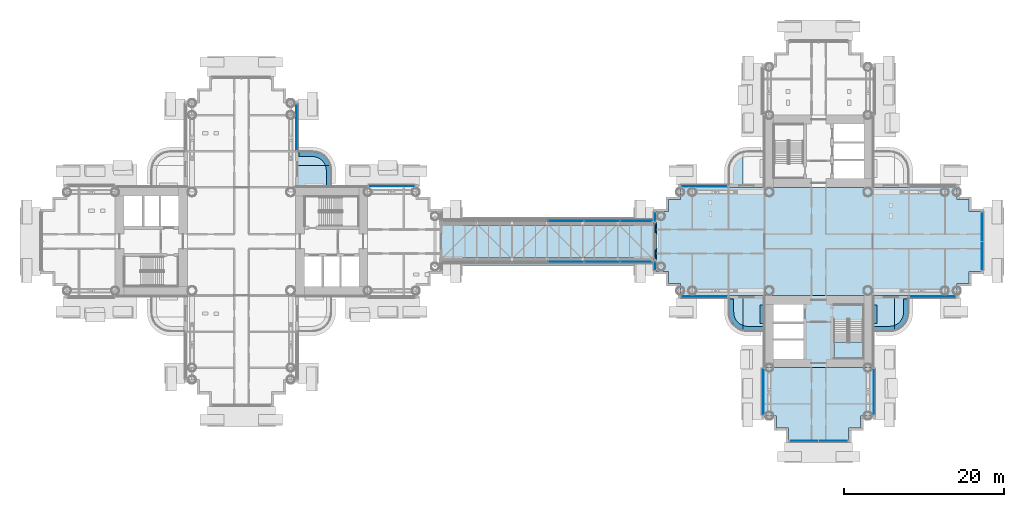
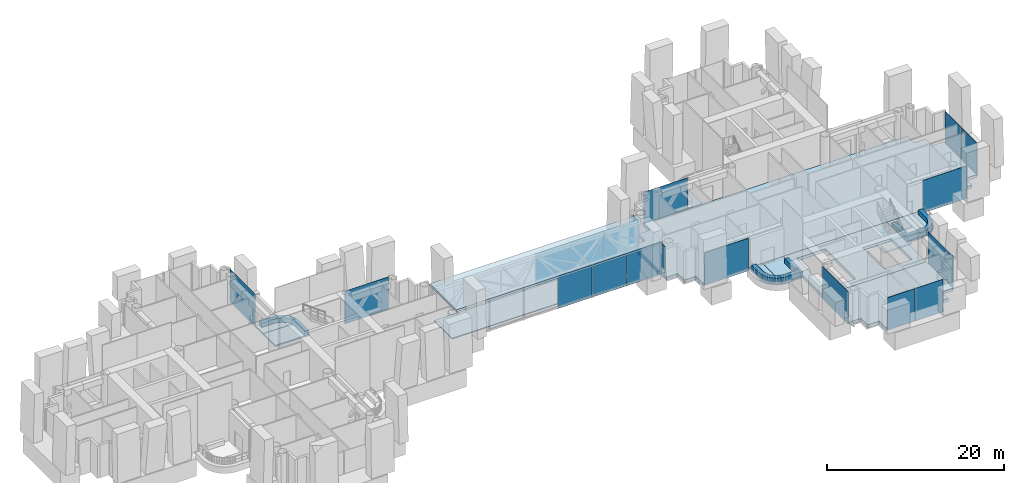
# One storey, part 11 of 27: 22 slabs, 19 plates, 14 elements without a shape of their own.
"""IFC4 building model written with IfcOpenShell, lengths in metres."""

from ifc_helpers import new_model, si_unit, direction, frame, origin, origin_2d, place, context, subcontext, project, spatial, polyline, rectangle, outline, extrude, material, layer, layer_set, type_object, element, aggregate, save


model = new_model("IFC4")

# Units and contexts
model_context = context("Model", 3, precision=1e-05, world=origin(), true_north=direction((0.0, 1.0)))
body_context = subcontext(model_context, "Body", "Model", "MODEL_VIEW")
ifc_project = project(units=[si_unit("LENGTHUNIT", "METRE"), si_unit("AREAUNIT", "SQUARE_METRE"), si_unit("VOLUMEUNIT", "CUBIC_METRE"), si_unit("PLANEANGLEUNIT", "RADIAN"), si_unit("MASSUNIT", "GRAM", prefix="KILO")], contexts=[model_context])

# Site, building, storey
site_placement = place(None, origin())
site = spatial("IfcSite", under=ifc_project, at=site_placement, CompositionType="ELEMENT")
building_placement = place(site_placement, origin())
building = spatial("IfcBuilding", under=site, at=building_placement, Name="Ipe Terrace Towers", CompositionType="ELEMENT")
storey_placement = place(building_placement, frame((0.0, 0.0, 72.10009765625)))
storey = spatial("IfcBuildingStorey", under=building, at=storey_placement, Name="L19", CompositionType="ELEMENT", Elevation=72.10009765625)

# Slabs
ifc_material_1 = material(Name="Concrete C30/37", Category="concrete")
ifc_layer_1 = layer(ifc_material_1, 0.199951171875)
ifc_layer_set_1 = layer_set([ifc_layer_1], Name="BALCONY SLAB 200")
slab_type_1 = type_object("IfcSlabType", Name="BALCONY SLAB 200", PredefinedType="FLOOR", material=ifc_layer_set_1)
slab_1_placement = place(storey_placement, frame((0.0, 0.0, -0.22021484375)))
element("IfcSlab", 1, at=slab_1_placement, inside=storey, type_object=slab_type_1, Name="balcony slab", PredefinedType="FLOOR", context=body_context, shape_type="SweptSolid", body=[
    extrude(outline(polyline([(-24.77099609375, 9.1630859375), (-24.827880859375, 9.449951171875), (-29.25, 9.449951171875), (-29.25, 6.75), (-24.75, 6.75), (-24.75, 8.85009765625), (-24.77099609375, 9.1630859375)])), origin(), (0.0, 0.0, 1.0), 0.2001953125),
])
slab_2_placement = place(storey_placement, frame((0.0, 0.0, -0.22021484375)))
element("IfcSlab", 2, at=slab_2_placement, inside=storey, type_object=slab_type_1, Name="balcony slab", PredefinedType="FLOOR", context=body_context, shape_type="SweptSolid", body=[
    extrude(outline(polyline([(-29.25, 11.25), (-29.25, 9.449951171875), (-24.827880859375, 9.449951171875), (-24.83203125, 9.470947265625), (-24.93310546875, 9.76806640625), (-25.072021484375, 10.050048828125), (-25.24609375, 10.31103515625), (-25.452880859375, 10.547119140625), (-25.68896484375, 10.75390625), (-25.949951171875, 10.927978515625), (-26.23193359375, 11.06689453125), (-26.529052734375, 11.16796875), (-26.8369140625, 11.22900390625), (-27.14990234375, 11.25), (-29.25, 11.25)])), origin(), (0.0, 0.0, 1.0), 0.2001953125),
])
slab_3_placement = place(storey_placement, frame((0.0, 0.0, -0.22021484375)))
element("IfcSlab", 3, at=slab_3_placement, inside=storey, type_object=slab_type_1, Name="balcony slab", PredefinedType="FLOOR", context=body_context, shape_type="SweptSolid", body=[
    extrude(outline(polyline([(26.8369140625, -11.22900390625), (27.14990234375, -11.25), (29.25, -11.25), (29.25, -6.75), (26.550048828125, -6.75), (26.550048828125, -11.172119140625), (26.8369140625, -11.22900390625)])), origin(), (0.0, 0.0, 1.0), 0.2001953125),
])
slab_4_placement = place(storey_placement, frame((0.0, 0.0, -0.22021484375)))
element("IfcSlab", 4, at=slab_4_placement, inside=storey, type_object=slab_type_1, Name="balcony slab", PredefinedType="FLOOR", context=body_context, shape_type="SweptSolid", body=[
    extrude(outline(polyline([(24.75, -6.75), (24.75, -8.85009765625), (24.77099609375, -9.1630859375), (24.83203125, -9.470947265625), (24.93310546875, -9.76806640625), (25.072021484375, -10.050048828125), (25.24609375, -10.31103515625), (25.452880859375, -10.547119140625), (25.68896484375, -10.75390625), (25.949951171875, -10.927978515625), (26.23193359375, -11.06689453125), (26.529052734375, -11.16796875), (26.550048828125, -11.172119140625), (26.550048828125, -6.75), (24.75, -6.75)])), origin(), (0.0, 0.0, 1.0), 0.2001953125),
])
slab_5_placement = place(storey_placement, frame((0.0, 0.0, -0.22021484375)))
element("IfcSlab", 5, at=slab_5_placement, inside=storey, type_object=slab_type_1, Name="balcony slab", PredefinedType="FLOOR", context=body_context, shape_type="SweptSolid", body=[
    extrude(outline(polyline([(24.75, 6.75), (26.550048828125, 6.75), (26.550048828125, 11.172119140625), (26.529052734375, 11.16796875), (26.23193359375, 11.06689453125), (25.949951171875, 10.927978515625), (25.68896484375, 10.75390625), (25.452880859375, 10.547119140625), (25.24609375, 10.31103515625), (25.072021484375, 10.050048828125), (24.93310546875, 9.76806640625), (24.83203125, 9.470947265625), (24.77099609375, 9.1630859375), (24.75, 8.85009765625), (24.75, 6.75)])), origin(), (0.0, 0.0, 1.0), 0.2001953125),
])
slab_6_placement = place(storey_placement, frame((0.0, 0.0, -0.22021484375)))
element("IfcSlab", 6, at=slab_6_placement, inside=storey, type_object=slab_type_1, Name="balcony slab", PredefinedType="FLOOR", context=body_context, shape_type="SweptSolid", body=[
    extrude(outline(polyline([(45.1630859375, -11.22900390625), (45.449951171875, -11.172119140625), (45.449951171875, -6.75), (42.75, -6.75), (42.75, -11.25), (44.85009765625, -11.25), (45.1630859375, -11.22900390625)])), origin(), (0.0, 0.0, 1.0), 0.2001953125),
])
slab_7_placement = place(storey_placement, frame((0.0, 0.0, -0.22021484375)))
element("IfcSlab", 7, at=slab_7_placement, inside=storey, type_object=slab_type_1, Name="balcony slab", PredefinedType="FLOOR", context=body_context, shape_type="SweptSolid", body=[
    extrude(outline(polyline([(47.25, -6.75), (45.449951171875, -6.75), (45.449951171875, -11.172119140625), (45.470947265625, -11.16796875), (45.76806640625, -11.06689453125), (46.050048828125, -10.927978515625), (46.31103515625, -10.75390625), (46.547119140625, -10.547119140625), (46.75390625, -10.31103515625), (46.927978515625, -10.050048828125), (47.06689453125, -9.76806640625), (47.16796875, -9.470947265625), (47.22900390625, -9.1630859375), (47.25, -8.85009765625), (47.25, -6.75)])), origin(), (0.0, 0.0, 1.0), 0.2001953125),
])

# Curtain wall, plates
ifc_material_2 = material(Name="Aluminium alloy 6063-T6", Category="aluminium")
ifc_layer_2 = layer(ifc_material_2, 0.300048828125)
ifc_layer_set_2 = layer_set([ifc_layer_2], Name="BRIDGE ENCLOSURE CURTAIN WALL")
curtain_wall_type_1 = type_object("IfcCurtainWallType", Name="BRIDGE ENCLOSURE CURTAIN WALL", PredefinedType="NOTDEFINED", material=ifc_layer_set_2)
curtain_wall_1_placement = place(storey_placement, origin())
curtain_wall_1 = element("IfcCurtainWall", 8, at=curtain_wall_1_placement, inside=storey, type_object=curtain_wall_type_1, Name="BR1-CW1 curtain wall", PredefinedType="NOTDEFINED")
ifc_material_3 = material(Name="Glass, clear laminated", Category="glass")
ifc_layer_3 = layer(ifc_material_3, 0.035888671875)
ifc_layer_set_3 = layer_set([ifc_layer_3], Name="BRIDGE ENCLOSURE GLASS PANEL 36")
plate_type_1 = type_object("IfcPlateType", Name="BRIDGE ENCLOSURE GLASS PANEL 36", PredefinedType="CURTAIN_PANEL", material=ifc_layer_set_3)
plate_1_placement = place(storey_placement, frame((13.470947265625, 2.544921875, -0.300048828125), z_axis=(0.0, 0.0, 1.0), x_axis=(-1.0, 0.0, 0.0)))
plate_1 = element("IfcPlate", 9, at=plate_1_placement, type_object=plate_type_1, Name="BR1-CW1 panel 1", PredefinedType="CURTAIN_PANEL", context=body_context, shape_type="SweptSolid", body=[
    extrude(rectangle(XDim=4.418212890625, YDim=0.035888671875, at=origin_2d()), origin(), (0.0, 0.0, 1.0), 4.5),
])
plate_2_placement = place(storey_placement, frame((8.982421875, 2.544921875, -0.300048828125), z_axis=(0.0, 0.0, 1.0), x_axis=(-1.0, 0.0, 0.0)))
plate_2 = element("IfcPlate", 10, at=plate_2_placement, type_object=plate_type_1, Name="BR1-CW1 panel 2", PredefinedType="CURTAIN_PANEL", context=body_context, shape_type="SweptSolid", body=[
    extrude(rectangle(XDim=4.418212890625, YDim=0.035888671875, at=origin_2d()), origin(), (0.0, 0.0, 1.0), 4.5),
])
plate_3_placement = place(storey_placement, frame((4.494140625, 2.544921875, -0.300048828125), z_axis=(0.0, 0.0, 1.0), x_axis=(-1.0, 0.0, 0.0)))
plate_3 = element("IfcPlate", 11, at=plate_3_placement, type_object=plate_type_1, Name="BR1-CW1 panel 3", PredefinedType="CURTAIN_PANEL", context=body_context, shape_type="SweptSolid", body=[
    extrude(rectangle(XDim=4.418212890625, YDim=0.035888671875, at=origin_2d()), origin(), (0.0, 0.0, 1.0), 4.5),
])
aggregate(curtain_wall_1, [plate_1, plate_2, plate_3])

curtain_wall_2_placement = place(storey_placement, origin())
curtain_wall_2 = element("IfcCurtainWall", 12, at=curtain_wall_2_placement, inside=storey, type_object=curtain_wall_type_1, Name="BR1-CW2 curtain wall", PredefinedType="NOTDEFINED")
plate_4_placement = place(storey_placement, frame((4.494140625, -2.544921875, -0.300048828125), z_axis=(0.0, 0.0, 1.0), x_axis=(1.0, 0.0, 0.0)))
plate_4 = element("IfcPlate", 13, at=plate_4_placement, type_object=plate_type_1, Name="BR1-CW2 panel 4", PredefinedType="CURTAIN_PANEL", context=body_context, shape_type="SweptSolid", body=[
    extrude(rectangle(XDim=4.418212890625, YDim=0.035888671875, at=origin_2d()), origin(), (0.0, 0.0, 1.0), 4.5),
])
plate_5_placement = place(storey_placement, frame((8.982421875, -2.544921875, -0.300048828125), z_axis=(0.0, 0.0, 1.0), x_axis=(1.0, 0.0, 0.0)))
plate_5 = element("IfcPlate", 14, at=plate_5_placement, type_object=plate_type_1, Name="BR1-CW2 panel 5", PredefinedType="CURTAIN_PANEL", context=body_context, shape_type="SweptSolid", body=[
    extrude(rectangle(XDim=4.418212890625, YDim=0.035888671875, at=origin_2d()), origin(), (0.0, 0.0, 1.0), 4.5),
])
plate_6_placement = place(storey_placement, frame((13.470947265625, -2.544921875, -0.300048828125), z_axis=(0.0, 0.0, 1.0), x_axis=(1.0, 0.0, 0.0)))
plate_6 = element("IfcPlate", 15, at=plate_6_placement, type_object=plate_type_1, Name="BR1-CW2 panel 6", PredefinedType="CURTAIN_PANEL", context=body_context, shape_type="SweptSolid", body=[
    extrude(rectangle(XDim=4.418212890625, YDim=0.035888671875, at=origin_2d()), origin(), (0.0, 0.0, 1.0), 4.5),
])
aggregate(curtain_wall_2, [plate_4, plate_5, plate_6])

# Slabs
ifc_material_4 = material(Name="Concrete C30/37", Category="concrete")
ifc_layer_4 = layer(ifc_material_4, 0.300048828125)
ifc_layer_set_4 = layer_set([ifc_layer_4], Name="BRIDGE ROOF SLAB 300")
slab_type_2 = type_object("IfcSlabType", Name="BRIDGE ROOF SLAB 300", PredefinedType="ROOF", material=ifc_layer_set_4)
slab_8_placement = place(storey_placement, frame((0.0, 0.0, 4.199951171875)))
element("IfcSlab", 16, at=slab_8_placement, inside=storey, type_object=slab_type_2, Name="BR1 roof slab", PredefinedType="ROOF", context=body_context, shape_type="SweptSolid", body=[
    extrude(outline(polyline([(-11.25, -3.0), (15.75, -3.0), (15.75, 3.0), (-11.25, 3.0), (-11.25, -3.0)])), origin(), (0.0, 0.0, 1.0), 0.300048828125),
])
ifc_material_5 = material(Name="Concrete C30/37", Category="concrete")
ifc_layer_5 = layer(ifc_material_5, 0.1201171875)
ifc_layer_set_5 = layer_set([ifc_layer_5], Name="BRIDGE-DECK SLAB 120")
slab_type_3 = type_object("IfcSlabType", Name="BRIDGE-DECK SLAB 120", PredefinedType="FLOOR", material=ifc_layer_set_5)
slab_9_placement = place(storey_placement, frame((0.0, 0.0, -0.1201171875)))
element("IfcSlab", 17, at=slab_9_placement, inside=storey, type_object=slab_type_3, Name="BR1-DS bridge deck", PredefinedType="FLOOR", context=body_context, shape_type="SweptSolid", body=[
    extrude(outline(polyline([(-11.25, -2.050048828125), (15.550048828125, -2.050048828125), (15.550048828125, 2.050048828125), (-11.25, 2.050048828125), (-11.25, -2.050048828125)])), origin(), (0.0, 0.0, 1.0), 0.1201171875),
])
ifc_material_6 = material(Name="Concrete C30/37", Category="concrete")
ifc_layer_6 = layer(ifc_material_6, 0.39990234375)
ifc_layer_set_6 = layer_set([ifc_layer_6], Name="CORE FLOOR SLAB 400 C30-37")
slab_type_4 = type_object("IfcSlabType", Name="CORE FLOOR SLAB 400 C30-37", PredefinedType="FLOOR", material=ifc_layer_set_6)
slab_10_placement = place(storey_placement, frame((0.0, 0.0, -0.400146484375)))
element("IfcSlab", 18, at=slab_10_placement, inside=storey, type_object=slab_type_4, Name="Core floor T2-C2", PredefinedType="FLOOR", context=body_context, shape_type="SweptSolid", body=[
    extrude(outline(polyline([(29.25, -15.75), (29.25, -6.75), (42.75, -6.75), (42.75, -15.75), (29.25, -15.75)]), holes=[polyline([(34.10009765625, -14.64990234375), (34.10009765625, -7.85009765625), (30.35009765625, -7.85009765625), (30.35009765625, -14.64990234375), (34.10009765625, -14.64990234375)]), polyline([(41.550048828125, -9.800048828125), (37.89990234375, -9.800048828125), (37.89990234375, -14.550048828125), (41.550048828125, -14.550048828125), (41.550048828125, -9.800048828125)])]), origin(), (0.0, 0.0, 1.0), 0.400146484375),
])

# Stair, slab
ifc_material_7 = material(Name="Concrete C30/37", Category="concrete")
stair_type = type_object("IfcStairType", Name="Protected exit stair", PredefinedType="HALF_TURN_STAIR", material=ifc_material_7)
stair_placement = place(storey_placement, origin())
stair = element("IfcStair", 19, at=stair_placement, inside=storey, type_object=stair_type, Name="L19 Exit stair T2-C2", PredefinedType="HALF_TURN_STAIR")
ifc_material_8 = material(Name="Concrete C30/37", Category="concrete")
ifc_layer_7 = layer(ifc_material_8, 0.199951171875)
ifc_layer_set_7 = layer_set([ifc_layer_7], Name="Exit stair landing 200")
slab_type_5 = type_object("IfcSlabType", Name="Exit stair landing 200", PredefinedType="LANDING", material=ifc_layer_set_7)
slab_11_placement = place(storey_placement, frame((0.0, 0.0, 2.0498046875)))
slab_11 = element("IfcSlab", 20, at=slab_11_placement, type_object=slab_type_5, Name="T2-ST2 landing 1", PredefinedType="LANDING", context=body_context, shape_type="SweptSolid", body=[
    extrude(outline(polyline([(37.89990234375, -12.56005859375), (37.89990234375, -14.550048828125), (41.550048828125, -14.550048828125), (41.550048828125, -12.56005859375), (37.89990234375, -12.56005859375)])), origin(), (0.0, 0.0, 1.0), 0.2001953125),
])
aggregate(stair, [slab_11])

# Slabs
ifc_material_9 = material(Name="Concrete C40/50", Category="concrete")
ifc_layer_8 = layer(ifc_material_9, 0.39990234375)
ifc_layer_set_8 = layer_set([ifc_layer_8], Name="FLAT PLATE SLAB 400 C40-50")
slab_type_6 = type_object("IfcSlabType", Name="FLAT PLATE SLAB 400 C40-50", PredefinedType="FLOOR", material=ifc_layer_set_8)
slab_12_placement = place(storey_placement, frame((0.0, 0.0, -0.400146484375)))
element("IfcSlab", 21, at=slab_12_placement, inside=storey, type_object=slab_type_6, Name="Slab T2-FS-Z11", PredefinedType="FLOOR", context=body_context, shape_type="SweptSolid", body=[
    extrude(outline(polyline([(53.25, 5.25), (54.75, 5.25), (54.75, 3.75), (56.25, 3.75), (56.25, -3.75), (54.75, -3.75), (54.75, -5.25), (53.25, -5.25), (53.25, -6.75), (42.75, -6.75), (29.25, -6.75), (18.75, -6.75), (18.75, -5.25), (17.25, -5.25), (17.25, -3.75), (15.75, -3.75), (15.75, 3.75), (17.25, 3.75), (17.25, 5.25), (18.75, 5.25), (18.75, 6.75), (29.25, 6.75), (42.75, 6.75), (53.25, 6.75), (53.25, 5.25)])), origin(), (0.0, 0.0, 1.0), 0.400146484375),
])
slab_13_placement = place(storey_placement, frame((0.0, 0.0, -0.400146484375)))
element("IfcSlab", 22, at=slab_13_placement, inside=storey, type_object=slab_type_6, Name="Slab T2-FS-Z12", PredefinedType="FLOOR", context=body_context, shape_type="SweptSolid", body=[
    extrude(outline(polyline([(42.75, -21.75), (41.25, -21.75), (41.25, -23.25), (39.75, -23.25), (39.75, -24.75), (32.25, -24.75), (32.25, -23.25), (30.75, -23.25), (30.75, -21.75), (29.25, -21.75), (29.25, -15.75), (42.75, -15.75), (42.75, -21.75)])), origin(), (0.0, 0.0, 1.0), 0.400146484375),
])
slab_14_placement = place(storey_placement, frame((0.0, 0.0, -0.400146484375)))
element("IfcSlab", 23, at=slab_14_placement, inside=storey, type_object=slab_type_6, Name="Slab ledge", PredefinedType="FLOOR", context=body_context, shape_type="SweptSolid", body=[
    extrude(outline(polyline([(15.75, -2.25), (15.429931640625, -2.25), (15.429931640625, -2.050048828125), (15.550048828125, -2.050048828125), (15.550048828125, 2.050048828125), (15.429931640625, 2.050048828125), (15.429931640625, 2.25), (15.75, 2.25), (15.75, -2.25)])), origin(), (0.0, 0.0, 1.0), 0.400146484375),
])
ifc_material_10 = material(Name="Concrete C30/37", Category="concrete")
ifc_layer_9 = layer(ifc_material_10, 0.60009765625)
ifc_layer_set_9 = layer_set([ifc_layer_9], Name="PLANTER TROUGH 550 x 600")
slab_type_7 = type_object("IfcSlabType", Name="PLANTER TROUGH 550 x 600", PredefinedType="USERDEFINED", material=ifc_layer_set_9)
slab_15_placement = place(storey_placement, frame((0.0, 0.0, -0.02001953125)))
element("IfcSlab", 24, at=slab_15_placement, inside=storey, type_object=slab_type_7, Name="planter", ObjectType="PLANTER", PredefinedType="USERDEFINED", context=body_context, shape_type="SweptSolid", body=[
    extrude(outline(polyline([(-25.470947265625, 9.300048828125), (-25.426025390625, 9.076904296875), (-25.409912109375, 8.827880859375), (-25.409912109375, 6.75), (-24.860107421875, 6.75), (-24.860107421875, 8.8369140625), (-24.861083984375, 8.85498046875), (-24.87890625, 9.131103515625), (-24.883056640625, 9.1669921875), (-24.93505859375, 9.425048828125), (-24.94091796875, 9.449951171875), (-25.52197265625, 9.449951171875), (-25.470947265625, 9.300048828125)])), origin(), (0.0, 0.0, 1.0), 0.599853515625),
])
slab_16_placement = place(storey_placement, frame((0.0, 0.0, -0.02001953125)))
element("IfcSlab", 25, at=slab_16_placement, inside=storey, type_object=slab_type_7, Name="planter", ObjectType="PLANTER", PredefinedType="USERDEFINED", context=body_context, shape_type="SweptSolid", body=[
    extrude(outline(polyline([(-25.5439453125, 9.514892578125), (-25.52197265625, 9.449951171875), (-24.94091796875, 9.449951171875), (-24.944091796875, 9.4599609375), (-25.029052734375, 9.708984375), (-25.04296875, 9.741943359375), (-25.158935546875, 9.97900390625), (-25.177001953125, 10.010009765625), (-25.322998046875, 10.22900390625), (-25.344970703125, 10.257080078125), (-25.51904296875, 10.4560546875), (-25.5439453125, 10.48095703125), (-25.742919921875, 10.655029296875), (-25.77099609375, 10.677001953125), (-25.989990234375, 10.822998046875), (-26.02099609375, 10.841064453125), (-26.258056640625, 10.95703125), (-26.291015625, 10.970947265625), (-26.5400390625, 11.055908203125), (-26.574951171875, 11.06494140625), (-26.8330078125, 11.116943359375), (-26.868896484375, 11.12109375), (-27.14501953125, 11.138916015625), (-27.1630859375, 11.139892578125), (-28.800048828125, 11.139892578125), (-28.800048828125, 10.590087890625), (-27.172119140625, 10.590087890625), (-26.923095703125, 10.573974609375), (-26.699951171875, 10.529052734375), (-26.485107421875, 10.4560546875), (-26.281005859375, 10.35595703125), (-26.092041015625, 10.22900390625), (-25.9208984375, 10.0791015625), (-25.77099609375, 9.907958984375), (-25.64404296875, 9.718994140625), (-25.5439453125, 9.514892578125)])), origin(), (0.0, 0.0, 1.0), 0.599853515625),
])
slab_17_placement = place(storey_placement, frame((0.0, 0.0, -0.02001953125)))
element("IfcSlab", 26, at=slab_17_placement, inside=storey, type_object=slab_type_7, Name="planter", ObjectType="PLANTER", PredefinedType="USERDEFINED", context=body_context, shape_type="SweptSolid", body=[
    extrude(outline(polyline([(26.699951171875, -10.529052734375), (26.550048828125, -10.47802734375), (26.550048828125, -11.05908203125), (26.574951171875, -11.06494140625), (26.8330078125, -11.116943359375), (26.868896484375, -11.12109375), (27.14501953125, -11.138916015625), (27.1630859375, -11.139892578125), (29.25, -11.139892578125), (29.25, -10.590087890625), (27.172119140625, -10.590087890625), (26.923095703125, -10.573974609375), (26.699951171875, -10.529052734375)])), origin(), (0.0, 0.0, 1.0), 0.599853515625),
])
slab_18_placement = place(storey_placement, frame((0.0, 0.0, -0.02001953125)))
element("IfcSlab", 27, at=slab_18_placement, inside=storey, type_object=slab_type_7, Name="planter", ObjectType="PLANTER", PredefinedType="USERDEFINED", context=body_context, shape_type="SweptSolid", body=[
    extrude(outline(polyline([(26.485107421875, -10.4560546875), (26.281005859375, -10.35595703125), (26.092041015625, -10.22900390625), (25.9208984375, -10.0791015625), (25.77099609375, -9.907958984375), (25.64404296875, -9.718994140625), (25.5439453125, -9.514892578125), (25.470947265625, -9.300048828125), (25.426025390625, -9.076904296875), (25.409912109375, -8.827880859375), (25.409912109375, -7.199951171875), (24.860107421875, -7.199951171875), (24.860107421875, -8.8369140625), (24.861083984375, -8.85498046875), (24.87890625, -9.131103515625), (24.883056640625, -9.1669921875), (24.93505859375, -9.425048828125), (24.944091796875, -9.4599609375), (25.029052734375, -9.708984375), (25.04296875, -9.741943359375), (25.158935546875, -9.97900390625), (25.177001953125, -10.010009765625), (25.322998046875, -10.22900390625), (25.344970703125, -10.257080078125), (25.51904296875, -10.4560546875), (25.5439453125, -10.48095703125), (25.742919921875, -10.655029296875), (25.77099609375, -10.677001953125), (25.989990234375, -10.822998046875), (26.02099609375, -10.841064453125), (26.258056640625, -10.95703125), (26.291015625, -10.970947265625), (26.5400390625, -11.055908203125), (26.550048828125, -11.05908203125), (26.550048828125, -10.47802734375), (26.485107421875, -10.4560546875)])), origin(), (0.0, 0.0, 1.0), 0.599853515625),
])
slab_19_placement = place(storey_placement, frame((0.0, 0.0, -0.02001953125)))
element("IfcSlab", 28, at=slab_19_placement, inside=storey, type_object=slab_type_7, Name="planter", ObjectType="PLANTER", PredefinedType="USERDEFINED", context=body_context, shape_type="SweptSolid", body=[
    extrude(outline(polyline([(29.25, -7.949951171875), (28.699951171875, -7.949951171875), (28.699951171875, -10.25), (29.25, -10.25), (29.25, -7.949951171875)])), origin(), (0.0, 0.0, 1.0), 0.599853515625),
])
slab_20_placement = place(storey_placement, frame((0.0, 0.0, -0.02001953125)))
element("IfcSlab", 29, at=slab_20_placement, inside=storey, type_object=slab_type_7, Name="planter", ObjectType="PLANTER", PredefinedType="USERDEFINED", context=body_context, shape_type="SweptSolid", body=[
    extrude(outline(polyline([(45.300048828125, -10.529052734375), (45.076904296875, -10.573974609375), (44.827880859375, -10.590087890625), (42.75, -10.590087890625), (42.75, -11.139892578125), (44.8369140625, -11.139892578125), (44.85498046875, -11.138916015625), (45.131103515625, -11.12109375), (45.1669921875, -11.116943359375), (45.425048828125, -11.06494140625), (45.449951171875, -11.05908203125), (45.449951171875, -10.47802734375), (45.300048828125, -10.529052734375)])), origin(), (0.0, 0.0, 1.0), 0.599853515625),
])
slab_21_placement = place(storey_placement, frame((0.0, 0.0, -0.02001953125)))
element("IfcSlab", 30, at=slab_21_placement, inside=storey, type_object=slab_type_7, Name="planter", ObjectType="PLANTER", PredefinedType="USERDEFINED", context=body_context, shape_type="SweptSolid", body=[
    extrude(outline(polyline([(45.514892578125, -10.4560546875), (45.449951171875, -10.47802734375), (45.449951171875, -11.05908203125), (45.4599609375, -11.055908203125), (45.708984375, -10.970947265625), (45.741943359375, -10.95703125), (45.97900390625, -10.841064453125), (46.010009765625, -10.822998046875), (46.22900390625, -10.677001953125), (46.257080078125, -10.655029296875), (46.4560546875, -10.48095703125), (46.48095703125, -10.4560546875), (46.655029296875, -10.257080078125), (46.677001953125, -10.22900390625), (46.822998046875, -10.010009765625), (46.841064453125, -9.97900390625), (46.95703125, -9.741943359375), (46.970947265625, -9.708984375), (47.055908203125, -9.4599609375), (47.06494140625, -9.425048828125), (47.116943359375, -9.1669921875), (47.12109375, -9.131103515625), (47.138916015625, -8.85498046875), (47.139892578125, -8.8369140625), (47.139892578125, -7.199951171875), (46.590087890625, -7.199951171875), (46.590087890625, -8.827880859375), (46.573974609375, -9.076904296875), (46.529052734375, -9.300048828125), (46.4560546875, -9.514892578125), (46.35595703125, -9.718994140625), (46.22900390625, -9.907958984375), (46.0791015625, -10.0791015625), (45.907958984375, -10.22900390625), (45.718994140625, -10.35595703125), (45.514892578125, -10.4560546875)])), origin(), (0.0, 0.0, 1.0), 0.599853515625),
])
slab_22_placement = place(storey_placement, frame((0.0, 0.0, -0.02001953125)))
element("IfcSlab", 31, at=slab_22_placement, inside=storey, type_object=slab_type_7, Name="planter", ObjectType="PLANTER", PredefinedType="USERDEFINED", context=body_context, shape_type="SweptSolid", body=[
    extrude(outline(polyline([(42.75, -7.949951171875), (42.75, -10.25), (43.300048828125, -10.25), (43.300048828125, -7.949951171875), (42.75, -7.949951171875)])), origin(), (0.0, 0.0, 1.0), 0.599853515625),
])

# Curtain wall, plates
ifc_material_11 = material(Name="Aluminium alloy 6063-T6", Category="aluminium")
ifc_layer_10 = layer(ifc_material_11, 0.320068359375)
ifc_layer_set_10 = layer_set([ifc_layer_10], Name="REFUGE FLOOR CURTAIN WALL")
curtain_wall_type_2 = type_object("IfcCurtainWallType", Name="REFUGE FLOOR CURTAIN WALL", PredefinedType="NOTDEFINED", material=ifc_layer_set_10)
curtain_wall_3_placement = place(storey_placement, origin())
curtain_wall_3 = element("IfcCurtainWall", 32, at=curtain_wall_3_placement, inside=storey, type_object=curtain_wall_type_2, Name="T2-CW-L19-12a curtain wall", PredefinedType="NOTDEFINED")
ifc_material_12 = material(Name="Glass, clear laminated", Category="glass")
ifc_layer_11 = layer(ifc_material_12, 0.035888671875)
ifc_layer_set_11 = layer_set([ifc_layer_11], Name="REFUGE FLOOR GLASS PANEL 36")
plate_type_2 = type_object("IfcPlateType", Name="REFUGE FLOOR GLASS PANEL 36", PredefinedType="CURTAIN_PANEL", material=ifc_layer_set_11)
plate_7_placement = place(storey_placement, frame((56.3701171875, -1.82373046875, -0.300048828125), z_axis=(0.0, 0.0, 1.0), x_axis=(0.0, 1.0, 0.0)))
plate_7 = element("IfcPlate", 33, at=plate_7_placement, type_object=plate_type_2, Name="T2-CW-L19-12a panel 1", PredefinedType="CURTAIN_PANEL", context=body_context, shape_type="SweptSolid", body=[
    extrude(rectangle(XDim=3.572509765625, YDim=0.035888671875, at=origin_2d()), origin(), (0.0, 0.0, 1.0), 4.5),
])
plate_8_placement = place(storey_placement, frame((56.3701171875, 1.82373046875, -0.300048828125), z_axis=(0.0, 0.0, 1.0), x_axis=(0.0, 1.0, 0.0)))
plate_8 = element("IfcPlate", 34, at=plate_8_placement, type_object=plate_type_2, Name="T2-CW-L19-12a panel 2", PredefinedType="CURTAIN_PANEL", context=body_context, shape_type="SweptSolid", body=[
    extrude(rectangle(XDim=3.572509765625, YDim=0.035888671875, at=origin_2d()), origin(), (0.0, 0.0, 1.0), 4.5),
])
aggregate(curtain_wall_3, [plate_7, plate_8])

# Curtain wall, plate
curtain_wall_4_placement = place(storey_placement, origin())
curtain_wall_4 = element("IfcCurtainWall", 35, at=curtain_wall_4_placement, inside=storey, type_object=curtain_wall_type_2, Name="T2-CW-L19-38a curtain wall", PredefinedType="NOTDEFINED")
plate_9_placement = place(storey_placement, frame((15.6298828125, 3.0, -0.300048828125), z_axis=(0.0, 0.0, 1.0), x_axis=(0.0, -1.0, 0.0)))
plate_9 = element("IfcPlate", 36, at=plate_9_placement, type_object=plate_type_2, Name="T2-CW-L19-38a panel 1", PredefinedType="CURTAIN_PANEL", context=body_context, shape_type="SweptSolid", body=[
    extrude(rectangle(XDim=1.219970703125, YDim=0.035888671875, at=origin_2d()), origin(), (0.0, 0.0, 1.0), 4.5),
])
aggregate(curtain_wall_4, [plate_9])

curtain_wall_5_placement = place(storey_placement, origin())
curtain_wall_5 = element("IfcCurtainWall", 37, at=curtain_wall_5_placement, inside=storey, type_object=curtain_wall_type_2, Name="T2-CW-L19-38c curtain wall", PredefinedType="NOTDEFINED")
plate_10_placement = place(storey_placement, frame((15.6298828125, -3.0, -0.300048828125), z_axis=(0.0, 0.0, 1.0), x_axis=(0.0, -1.0, 0.0)))
plate_10 = element("IfcPlate", 38, at=plate_10_placement, type_object=plate_type_2, Name="T2-CW-L19-38c panel 1", PredefinedType="CURTAIN_PANEL", context=body_context, shape_type="SweptSolid", body=[
    extrude(rectangle(XDim=1.219970703125, YDim=0.035888671875, at=origin_2d()), origin(), (0.0, 0.0, 1.0), 4.5),
])
aggregate(curtain_wall_5, [plate_10])

# Curtain wall, plates
curtain_wall_6_placement = place(storey_placement, origin())
curtain_wall_6 = element("IfcCurtainWall", 39, at=curtain_wall_6_placement, inside=storey, type_object=curtain_wall_type_2, Name="T2-CW-L19-51a curtain wall", PredefinedType="NOTDEFINED")
plate_11_placement = place(storey_placement, frame((34.17626953125, -24.8701171875, -0.300048828125), z_axis=(0.0, 0.0, 1.0), x_axis=(1.0, 0.0, 0.0)))
plate_11 = element("IfcPlate", 40, at=plate_11_placement, type_object=plate_type_2, Name="T2-CW-L19-51a panel 1", PredefinedType="CURTAIN_PANEL", context=body_context, shape_type="SweptSolid", body=[
    extrude(rectangle(XDim=3.572509765625, YDim=0.035888671875, at=origin_2d()), origin(), (0.0, 0.0, 1.0), 4.5),
])
plate_12_placement = place(storey_placement, frame((37.82373046875, -24.8701171875, -0.300048828125), z_axis=(0.0, 0.0, 1.0), x_axis=(1.0, 0.0, 0.0)))
plate_12 = element("IfcPlate", 41, at=plate_12_placement, type_object=plate_type_2, Name="T2-CW-L19-51a panel 2", PredefinedType="CURTAIN_PANEL", context=body_context, shape_type="SweptSolid", body=[
    extrude(rectangle(XDim=3.572509765625, YDim=0.035888671875, at=origin_2d()), origin(), (0.0, 0.0, 1.0), 4.5),
])
aggregate(curtain_wall_6, [plate_11, plate_12])

# Curtain wall, plate
curtain_wall_7_placement = place(storey_placement, origin())
curtain_wall_7 = element("IfcCurtainWall", 42, at=curtain_wall_7_placement, inside=storey, type_object=curtain_wall_type_2, Name="T1-CW-L19-30a curtain wall", PredefinedType="NOTDEFINED")
ifc_material_13 = material(Name="Insulated spandrel panel, stone-effect cladding", Category="masonry")
ifc_layer_12 = layer(ifc_material_13, 0.035888671875)
ifc_layer_set_12 = layer_set([ifc_layer_12], Name="REFUGE FLOOR SPANDREL PANEL 36")
plate_type_3 = type_object("IfcPlateType", Name="REFUGE FLOOR SPANDREL PANEL 36", PredefinedType="CURTAIN_PANEL", material=ifc_layer_set_12)
plate_13_placement = place(storey_placement, frame((-17.24951171875, 6.8701171875, -0.300048828125), z_axis=(0.0, 0.0, 1.0), x_axis=(-1.0, 0.0, 0.0)))
plate_13 = element("IfcPlate", 43, at=plate_13_placement, type_object=plate_type_3, Name="T1-CW-L19-30a panel 1", PredefinedType="CURTAIN_PANEL", context=body_context, shape_type="SweptSolid", body=[
    extrude(rectangle(XDim=5.718994140625, YDim=0.035888671875, at=origin_2d()), origin(), (0.0, 0.0, 1.0), 4.5),
])
aggregate(curtain_wall_7, [plate_13])

curtain_wall_8_placement = place(storey_placement, origin())
curtain_wall_8 = element("IfcCurtainWall", 44, at=curtain_wall_8_placement, inside=storey, type_object=curtain_wall_type_2, Name="T1-CW-L19-33a curtain wall", PredefinedType="NOTDEFINED")
plate_14_placement = place(storey_placement, frame((-29.1298828125, 14.25, -0.300048828125), z_axis=(0.0, 0.0, 1.0), x_axis=(0.0, 1.0, 0.0)))
plate_14 = element("IfcPlate", 45, at=plate_14_placement, type_object=plate_type_3, Name="T1-CW-L19-33a panel 1", PredefinedType="CURTAIN_PANEL", context=body_context, shape_type="SweptSolid", body=[
    extrude(rectangle(XDim=5.719970703125, YDim=0.035888671875, at=origin_2d()), origin(), (0.0, 0.0, 1.0), 4.5),
])
aggregate(curtain_wall_8, [plate_14])

curtain_wall_9_placement = place(storey_placement, origin())
curtain_wall_9 = element("IfcCurtainWall", 46, at=curtain_wall_9_placement, inside=storey, type_object=curtain_wall_type_2, Name="T2-CW-L19-04a curtain wall", PredefinedType="NOTDEFINED")
plate_15_placement = place(storey_placement, frame((42.8701171875, -18.75048828125, -0.300048828125), z_axis=(0.0, 0.0, 1.0), x_axis=(0.0, 1.0, 0.0)))
plate_15 = element("IfcPlate", 47, at=plate_15_placement, type_object=plate_type_3, Name="T2-CW-L19-04a panel 1", PredefinedType="CURTAIN_PANEL", context=body_context, shape_type="SweptSolid", body=[
    extrude(rectangle(XDim=5.718994140625, YDim=0.035888671875, at=origin_2d()), origin(), (0.0, 0.0, 1.0), 4.5),
])
aggregate(curtain_wall_9, [plate_15])

curtain_wall_10_placement = place(storey_placement, origin())
curtain_wall_10 = element("IfcCurtainWall", 48, at=curtain_wall_10_placement, inside=storey, type_object=curtain_wall_type_2, Name="T2-CW-L19-07a curtain wall", PredefinedType="NOTDEFINED")
plate_16_placement = place(storey_placement, frame((50.25, -6.8701171875, -0.300048828125), z_axis=(0.0, 0.0, 1.0), x_axis=(1.0, 0.0, 0.0)))
plate_16 = element("IfcPlate", 49, at=plate_16_placement, type_object=plate_type_3, Name="T2-CW-L19-07a panel 1", PredefinedType="CURTAIN_PANEL", context=body_context, shape_type="SweptSolid", body=[
    extrude(rectangle(XDim=5.719970703125, YDim=0.035888671875, at=origin_2d()), origin(), (0.0, 0.0, 1.0), 4.5),
])
aggregate(curtain_wall_10, [plate_16])

curtain_wall_11_placement = place(storey_placement, origin())
curtain_wall_11 = element("IfcCurtainWall", 50, at=curtain_wall_11_placement, inside=storey, type_object=curtain_wall_type_2, Name="T2-CW-L19-33a curtain wall", PredefinedType="NOTDEFINED")
plate_17_placement = place(storey_placement, frame((21.75, 6.8701171875, -0.300048828125), z_axis=(0.0, 0.0, 1.0), x_axis=(-1.0, 0.0, 0.0)))
plate_17 = element("IfcPlate", 51, at=plate_17_placement, type_object=plate_type_3, Name="T2-CW-L19-33a panel 1", PredefinedType="CURTAIN_PANEL", context=body_context, shape_type="SweptSolid", body=[
    extrude(rectangle(XDim=5.719970703125, YDim=0.035888671875, at=origin_2d()), origin(), (0.0, 0.0, 1.0), 4.5),
])
aggregate(curtain_wall_11, [plate_17])

curtain_wall_12_placement = place(storey_placement, origin())
curtain_wall_12 = element("IfcCurtainWall", 52, at=curtain_wall_12_placement, inside=storey, type_object=curtain_wall_type_2, Name="T2-CW-L19-43a curtain wall", PredefinedType="NOTDEFINED")
plate_18_placement = place(storey_placement, frame((21.75, -6.8701171875, -0.300048828125), z_axis=(0.0, 0.0, 1.0), x_axis=(1.0, 0.0, 0.0)))
plate_18 = element("IfcPlate", 53, at=plate_18_placement, type_object=plate_type_3, Name="T2-CW-L19-43a panel 1", PredefinedType="CURTAIN_PANEL", context=body_context, shape_type="SweptSolid", body=[
    extrude(rectangle(XDim=5.719970703125, YDim=0.035888671875, at=origin_2d()), origin(), (0.0, 0.0, 1.0), 4.5),
])
aggregate(curtain_wall_12, [plate_18])

curtain_wall_13_placement = place(storey_placement, origin())
curtain_wall_13 = element("IfcCurtainWall", 54, at=curtain_wall_13_placement, inside=storey, type_object=curtain_wall_type_2, Name="T2-CW-L19-46b curtain wall", PredefinedType="NOTDEFINED")
plate_19_placement = place(storey_placement, frame((29.1298828125, -18.75048828125, -0.300048828125), z_axis=(0.0, 0.0, 1.0), x_axis=(0.0, -1.0, 0.0)))
plate_19 = element("IfcPlate", 55, at=plate_19_placement, type_object=plate_type_3, Name="T2-CW-L19-46b panel 1", PredefinedType="CURTAIN_PANEL", context=body_context, shape_type="SweptSolid", body=[
    extrude(rectangle(XDim=5.718994140625, YDim=0.035888671875, at=origin_2d()), origin(), (0.0, 0.0, 1.0), 4.5),
])
aggregate(curtain_wall_13, [plate_19])

save(model, "model.ifc")
